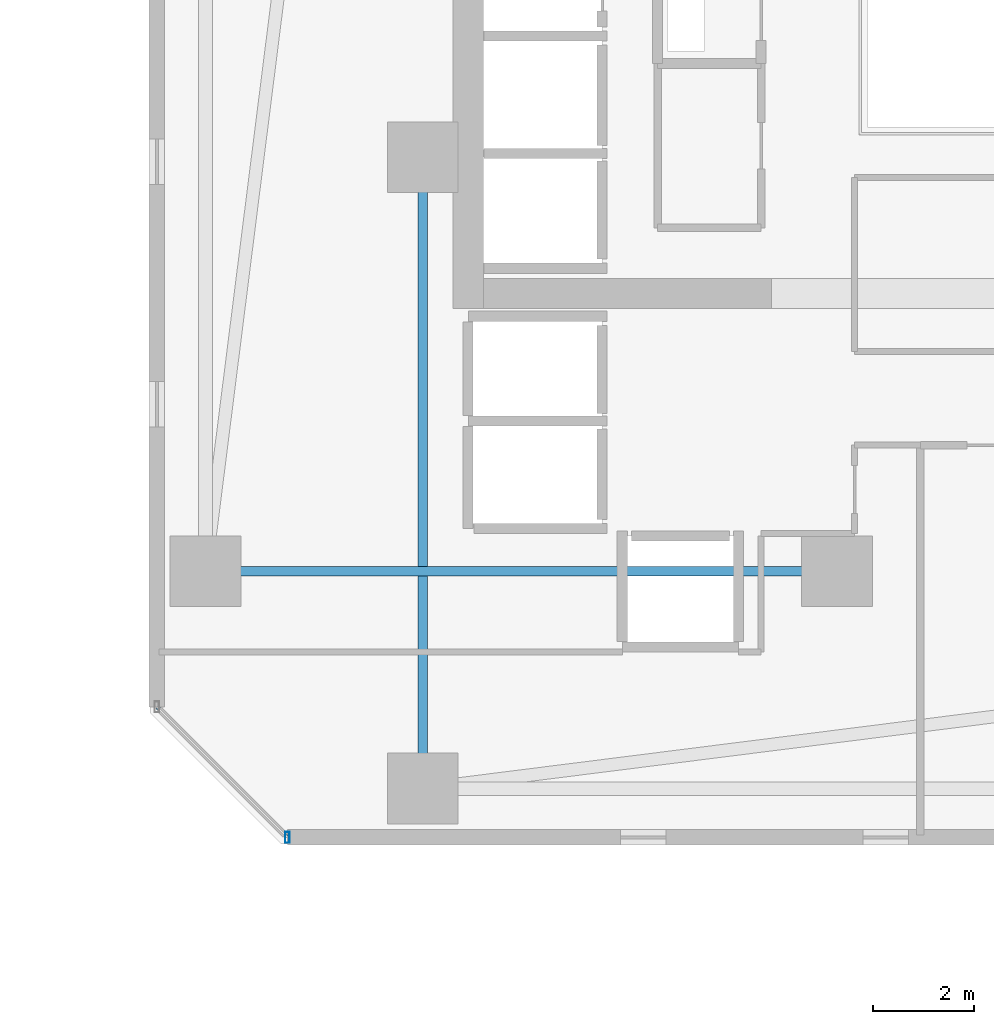
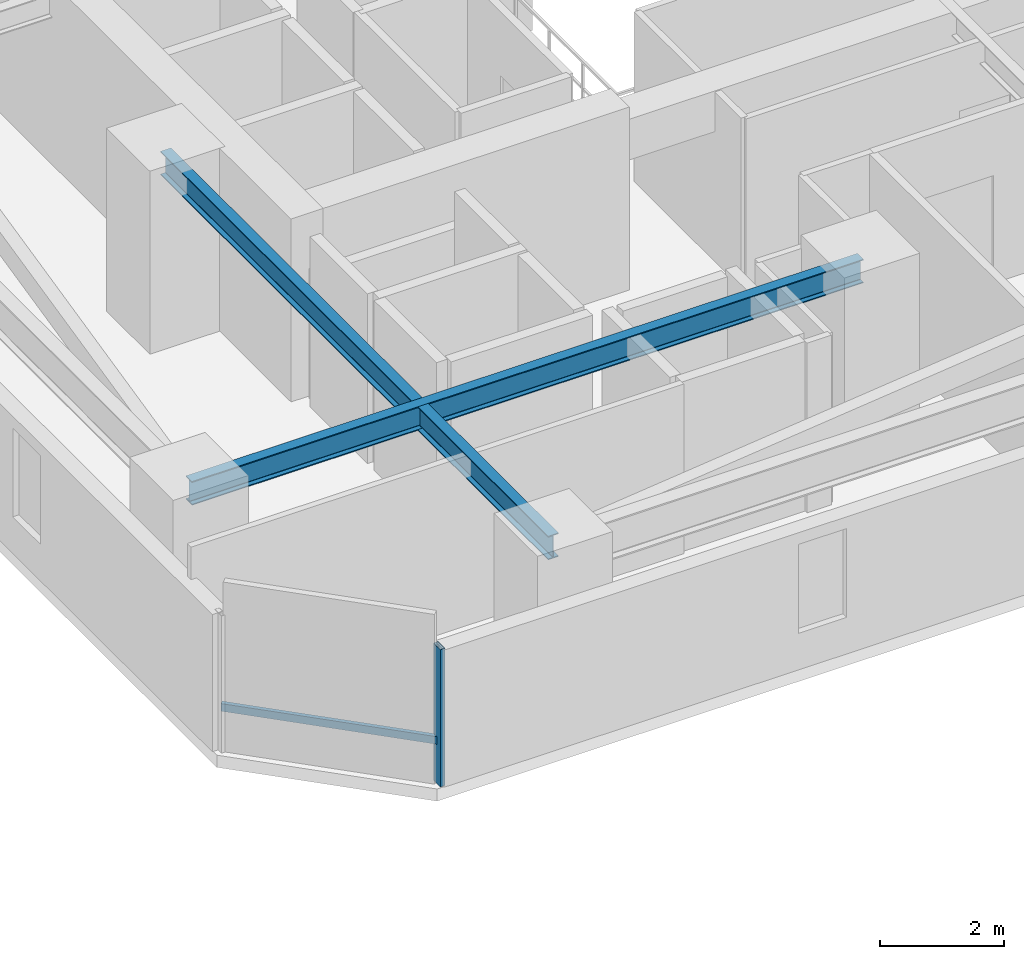
# One storey, part 13 of 35: 2 beams, 2 members, 1 element without a shape of its own.
"""IFC4 building model written with IfcOpenShell, lengths in metres."""

from ifc_helpers import new_model, si_unit, direction, frame, origin, origin_2d, place, context, subcontext, project, spatial, hollow_rectangle, i_section, extrude, material, material_profile, profile_set, type_object, element, aggregate, save


model = new_model("IFC4")

# Units and contexts
model_context = context("Model", 3, precision=1e-05, world=origin(), true_north=direction((0.0, 1.0)))
body_context = subcontext(model_context, "Body", "Model", "MODEL_VIEW")
ifc_project = project(units=[si_unit("LENGTHUNIT", "METRE"), si_unit("AREAUNIT", "SQUARE_METRE"), si_unit("VOLUMEUNIT", "CUBIC_METRE"), si_unit("PLANEANGLEUNIT", "RADIAN"), si_unit("MASSUNIT", "GRAM", prefix="KILO")], contexts=[model_context])

# Site, building, storey
site_placement = place(None, origin())
site = spatial("IfcSite", under=ifc_project, at=site_placement, CompositionType="ELEMENT")
building_placement = place(site_placement, origin())
building = spatial("IfcBuilding", under=site, at=building_placement, Name="Thornwick Lancets Civic Towers", CompositionType="ELEMENT")
storey_placement = place(building_placement, frame((0.0, 0.0, 64.5)))
storey = spatial("IfcBuildingStorey", under=building, at=storey_placement, Name="L16", CompositionType="ELEMENT", Elevation=64.5)

# Beams
ifc_material_1 = material(Name="Steel S355JR", Category="steel")
ifc_material_profile_1 = material_profile(ifc_material_1, i_section(OverallWidth=0.19287109375, OverallDepth=0.46728515625, WebThickness=0.011474609375, FlangeThickness=0.01953125, FilletRadius=0.01025390625, at=origin_2d()), Name="UKB 457x191x98")
ifc_profile_set_1 = profile_set([ifc_material_profile_1], Name="Steel S355JR")
beam_type = type_object("IfcBeamType", Name="BM_JOIST_457_98", PredefinedType="JOIST", material=ifc_profile_set_1)
for number, where, z_axis, x_axis, name in (
    (1, (83.699951171875, 14.0, 3.12646484375), (-1.0, 0.0, 0.0), (0.0, -1.0, 0.0), "BM-RADIN-L16-B07"),
    (2, (75.5, 22.199951171875, 3.12646484375), (0.0, -1.0, 0.0), (1.0, 0.0, 0.0), "BM-RADIN-L16-B12"),
):
    element("IfcBeam", number, at=place(storey_placement, frame(where, z_axis=z_axis, x_axis=x_axis)), inside=storey, type_object=beam_type, Name=name, PredefinedType="JOIST", context=body_context, shape_type="SweptSolid", body=[
        extrude(i_section(OverallWidth=0.19287109375, OverallDepth=0.46728515625, WebThickness=0.011474609375, FlangeThickness=0.01953125, FilletRadius=0.01025390625, at=origin_2d()), origin(), (0.0, 0.0, 1.0), 12.5),
    ])

# Curtain wall, members
ifc_material_2 = material(Name="Low-zone chamfered-corner unitised glass curtain wall", Category="glass")
curtain_wall_type = type_object("IfcCurtainWallType", Name="CW_SYS_03", PredefinedType="NOTDEFINED", material=ifc_material_2)
curtain_wall_placement = place(storey_placement, origin())
curtain_wall = element("IfcCurtainWall", 3, at=curtain_wall_placement, inside=storey, type_object=curtain_wall_type, Name="L16 Curtain Wall CW-L16-B-E7", PredefinedType="NOTDEFINED")
ifc_material_3 = material(Name="Thermally broken bronze aluminium S355", Category="steel")
ifc_material_profile_2 = material_profile(ifc_material_3, hollow_rectangle(XDim=0.090087890625, YDim=0.219970703125, WallThickness=0.00634765625, at=origin_2d()), Name="RHS 220x90x6.3")
ifc_profile_set_2 = profile_set([ifc_material_profile_2], Name="Thermally broken bronze aluminium S355")
member_type_1 = type_object("IfcMemberType", Name="CW_MUL_220", PredefinedType="MULLION", material=ifc_profile_set_2)
member_1_placement = place(storey_placement, frame((72.81884765625, 8.735107421875, 0.0), z_axis=(0.0, 0.0, 1.0), x_axis=(1.0, 0.0, 0.0)))
member_1 = element("IfcMember", 4, at=member_1_placement, type_object=member_type_1, Name="CW-L16-B-E7 Mullion 1", PredefinedType="MULLION", context=body_context, shape_type="SweptSolid", body=[
    extrude(hollow_rectangle(XDim=0.090087890625, YDim=0.219970703125, WallThickness=0.00634765625, at=origin_2d()), origin(), (0.0, 0.0, 1.0), 2.699951171875),
])
ifc_material_profile_3 = material_profile(ifc_material_3, hollow_rectangle(XDim=0.074951171875, YDim=0.14990234375, WallThickness=0.0048828125, at=origin_2d()), Name="RHS 150x75x5")
ifc_profile_set_3 = profile_set([ifc_material_profile_3], Name="Thermally broken bronze aluminium S355")
member_type_2 = type_object("IfcMemberType", Name="CW_TRN_150", PredefinedType="USERDEFINED", material=ifc_profile_set_3)
member_2_placement = place(storey_placement, frame((70.249267578125, 11.3046875, 0.85009765625), z_axis=(0.707106781187, -0.707106781187, 0.0), x_axis=(0.707106781187, 0.707106781187, 0.0)))
member_2 = element("IfcMember", 5, at=member_2_placement, type_object=member_type_2, Name="CW-L16-B-E7 Transom 0", ObjectType="TRANSOM", PredefinedType="USERDEFINED", context=body_context, shape_type="SweptSolid", body=[
    extrude(hollow_rectangle(XDim=0.074951171875, YDim=0.14990234375, WallThickness=0.0048828125, at=origin_2d()), origin(), (0.0, 0.0, 1.0), 3.614013671875),
])
aggregate(curtain_wall, [member_1, member_2])

save(model, "model.ifc")
